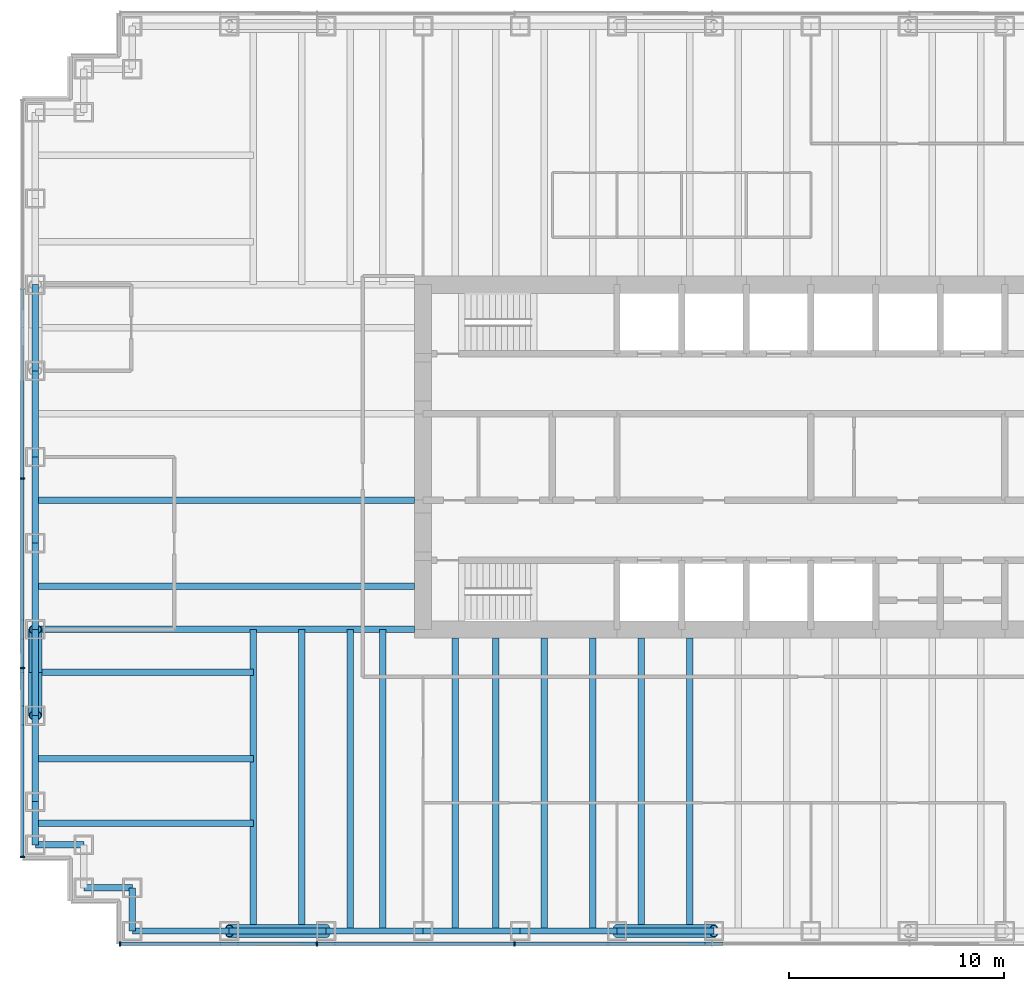
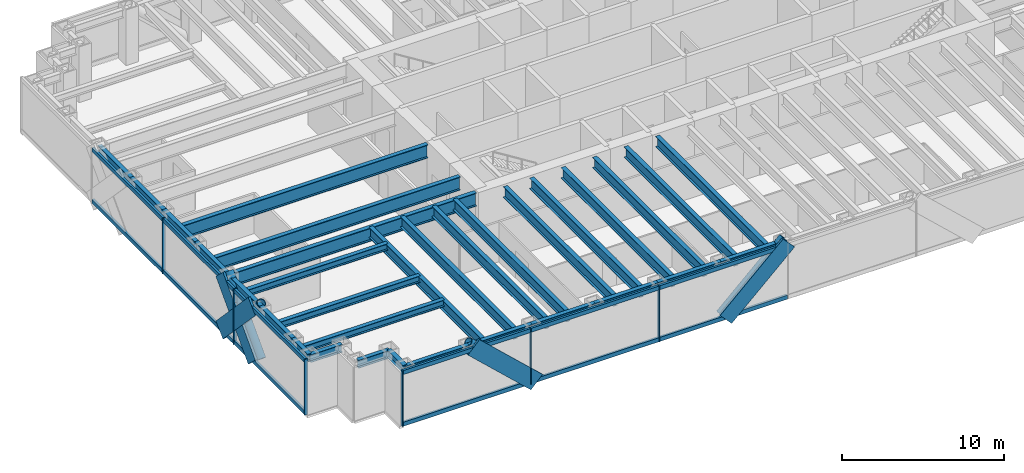
# One storey, part 2 of 19: 32 beams, 26 members, 2 elements without a shape of their own.
"""IFC4 building model written with IfcOpenShell, lengths in metres."""

from ifc_helpers import new_model, si_unit, direction, frame, origin, origin_2d, place, context, subcontext, project, spatial, rectangle, hollow_circle, i_section, extrude, material, material_profile, profile_set, type_object, element, aggregate, save


model = new_model("IFC4")

# Units and contexts
model_context = context("Model", 3, precision=1e-05, world=origin(), true_north=direction((0.0, 1.0)))
body_context = subcontext(model_context, "Body", "Model", "MODEL_VIEW")
ifc_project = project(units=[si_unit("LENGTHUNIT", "METRE"), si_unit("AREAUNIT", "SQUARE_METRE"), si_unit("VOLUMEUNIT", "CUBIC_METRE"), si_unit("PLANEANGLEUNIT", "RADIAN"), si_unit("MASSUNIT", "GRAM", prefix="KILO")], contexts=[model_context])

# Site, building, storey
site_placement = place(None, origin())
site = spatial("IfcSite", under=ifc_project, at=site_placement, CompositionType="ELEMENT")
building_placement = place(site_placement, origin())
building = spatial("IfcBuilding", under=site, at=building_placement, Name="Rheinbord Bourse Tower", CompositionType="ELEMENT")
storey_placement = place(building_placement, frame((0.0, 0.0, 206.800048828125)))
storey = spatial("IfcBuildingStorey", under=building, at=storey_placement, Name="L46", CompositionType="ELEMENT", Elevation=206.800048828125)

# Curtain wall, members
ifc_material_1 = material(Name="Dark glass and black aluminium", Category="aluminium")
curtain_wall_type = type_object("IfcCurtainWallType", Name="CW2 DARK GLASS CURTAIN WALL", PredefinedType="USERDEFINED", material=ifc_material_1)
curtain_wall_1_placement = place(storey_placement, origin())
curtain_wall_1 = element("IfcCurtainWall", 1, at=curtain_wall_1_placement, inside=storey, type_object=curtain_wall_type, Name="Curtain wall CW2 S L46", ObjectType="UNITISED CURTAIN WALL", PredefinedType="USERDEFINED")
ifc_material_2 = material(Name="Black anodised aluminium", Category="aluminium")
ifc_material_profile_1 = material_profile(ifc_material_2, rectangle(XDim=0.159912109375, YDim=1.2099609375, at=origin_2d()), Name="CW2 DIAGONAL MULLION 1210x160")
ifc_profile_set_1 = profile_set([ifc_material_profile_1], Name="Black anodised aluminium")
member_type_1 = type_object("IfcMemberType", Name="CW2 BLACK DIAGONAL MULLION", PredefinedType="USERDEFINED", material=ifc_profile_set_1)
member_1_placement = place(storey_placement, frame((27.0, 1.39990234375, 0.0), z_axis=(0.73105922506, 0.0, 0.682314010889), x_axis=(0.0, 1.0, 0.0)))
member_1 = element("IfcMember", 2, at=member_1_placement, type_object=member_type_1, Name="CW2 diagonal mullion b", ObjectType="DIAGONAL MULLION", PredefinedType="USERDEFINED", context=body_context, shape_type="SweptSolid", body=[
    extrude(rectangle(XDim=0.159912109375, YDim=1.2099609375, at=origin_2d()), origin(), (0.0, 0.0, 1.0), 6.155517578125),
])
member_2_placement = place(storey_placement, frame((13.5, 1.39990234375, 0.0), z_axis=(-0.73105922506, 0.0, 0.682314010889), x_axis=(0.0, -1.0, 0.0)))
member_2 = element("IfcMember", 3, at=member_2_placement, type_object=member_type_1, Name="CW2 diagonal mullion c", ObjectType="DIAGONAL MULLION", PredefinedType="USERDEFINED", context=body_context, shape_type="SweptSolid", body=[
    extrude(rectangle(XDim=0.159912109375, YDim=1.2099609375, at=origin_2d()), origin(), (0.0, 0.0, 1.0), 6.155517578125),
])

curtain_wall_2_placement = place(storey_placement, origin())
curtain_wall_2 = element("IfcCurtainWall", 4, at=curtain_wall_2_placement, inside=storey, type_object=curtain_wall_type, Name="Curtain wall CW2 W L46", ObjectType="UNITISED CURTAIN WALL", PredefinedType="USERDEFINED")
member_3_placement = place(storey_placement, frame((-0.60009765625, 12.0, 0.0), z_axis=(0.0, 0.689659376744, 0.724133926887), x_axis=(-1.0, 0.0, 0.0)))
member_3 = element("IfcMember", 5, at=member_3_placement, type_object=member_type_1, Name="CW2 diagonal mullion b", ObjectType="DIAGONAL MULLION", PredefinedType="USERDEFINED", context=body_context, shape_type="SweptSolid", body=[
    extrude(rectangle(XDim=0.159912109375, YDim=1.2099609375, at=origin_2d()), origin(), (0.0, 0.0, 1.0), 5.800048828125),
])
member_4_placement = place(storey_placement, frame((-0.60009765625, 16.0, 0.0), z_axis=(0.0, -0.689659376744, 0.724133926887), x_axis=(1.0, 0.0, 0.0)))
member_4 = element("IfcMember", 6, at=member_4_placement, type_object=member_type_1, Name="CW2 diagonal mullion c", ObjectType="DIAGONAL MULLION", PredefinedType="USERDEFINED", context=body_context, shape_type="SweptSolid", body=[
    extrude(rectangle(XDim=0.159912109375, YDim=1.2099609375, at=origin_2d()), origin(), (0.0, 0.0, 1.0), 5.800048828125),
])

# Member
ifc_material_3 = material(Name="Black anodised aluminium", Category="aluminium")
ifc_material_profile_2 = material_profile(ifc_material_3, rectangle(XDim=0.219970703125, YDim=0.070068359375, at=origin_2d()), Name="CW2 MULLION 70x220")
ifc_profile_set_2 = profile_set([ifc_material_profile_2], Name="Black anodised aluminium")
member_type_2 = type_object("IfcMemberType", Name="CW2 BLACK MULLION", PredefinedType="MULLION", material=ifc_profile_set_2)
member_5_placement = place(storey_placement, frame((3.93505859375, 1.39990234375, 0.0), z_axis=(0.0, 0.0, 1.0), x_axis=(0.0, 1.0, 0.0)))
member_5 = element("IfcMember", 7, at=member_5_placement, type_object=member_type_2, Name="CW2 mullion 1", PredefinedType="MULLION", context=body_context, shape_type="SweptSolid", body=[
    extrude(rectangle(XDim=0.219970703125, YDim=0.070068359375, at=origin_2d()), origin(), (0.0, 0.0, 1.0), 4.199951171875),
])

member_6_placement = place(storey_placement, frame((13.071533203125, 1.39990234375, 0.0), z_axis=(0.0, 0.0, 1.0), x_axis=(0.0, 1.0, 0.0)))
member_6 = element("IfcMember", 8, at=member_6_placement, type_object=member_type_2, Name="CW2 mullion 2", PredefinedType="MULLION", context=body_context, shape_type="SweptSolid", body=[
    extrude(rectangle(XDim=0.219970703125, YDim=0.070068359375, at=origin_2d()), origin(), (0.0, 0.0, 1.0), 4.199951171875),
])

member_7_placement = place(storey_placement, frame((22.242919921875, 1.39990234375, 0.0), z_axis=(0.0, 0.0, 1.0), x_axis=(0.0, 1.0, 0.0)))
member_7 = element("IfcMember", 9, at=member_7_placement, type_object=member_type_2, Name="CW2 mullion 3", PredefinedType="MULLION", context=body_context, shape_type="SweptSolid", body=[
    extrude(rectangle(XDim=0.219970703125, YDim=0.070068359375, at=origin_2d()), origin(), (0.0, 0.0, 1.0), 4.199951171875),
])

member_8_placement = place(storey_placement, frame((-0.60009765625, 23.0, 0.0), z_axis=(0.0, 0.0, 1.0), x_axis=(1.0, 0.0, 0.0)))
member_8 = element("IfcMember", 10, at=member_8_placement, type_object=member_type_2, Name="CW2 mullion 3", PredefinedType="MULLION", context=body_context, shape_type="SweptSolid", body=[
    extrude(rectangle(XDim=0.219970703125, YDim=0.070068359375, at=origin_2d()), origin(), (0.0, 0.0, 1.0), 4.199951171875),
])

member_9_placement = place(storey_placement, frame((-0.60009765625, 14.199951171875, 0.0), z_axis=(0.0, 0.0, 1.0), x_axis=(1.0, 0.0, 0.0)))
member_9 = element("IfcMember", 11, at=member_9_placement, type_object=member_type_2, Name="CW2 mullion 4", PredefinedType="MULLION", context=body_context, shape_type="SweptSolid", body=[
    extrude(rectangle(XDim=0.219970703125, YDim=0.070068359375, at=origin_2d()), origin(), (0.0, 0.0, 1.0), 4.199951171875),
])

member_10_placement = place(storey_placement, frame((-0.60009765625, 5.43505859375, 0.0), z_axis=(0.0, 0.0, 1.0), x_axis=(1.0, 0.0, 0.0)))
member_10 = element("IfcMember", 12, at=member_10_placement, type_object=member_type_2, Name="CW2 mullion 5", PredefinedType="MULLION", context=body_context, shape_type="SweptSolid", body=[
    extrude(rectangle(XDim=0.219970703125, YDim=0.070068359375, at=origin_2d()), origin(), (0.0, 0.0, 1.0), 4.199951171875),
])

ifc_material_4 = material(Name="Black anodised aluminium", Category="aluminium")
ifc_material_profile_3 = material_profile(ifc_material_4, rectangle(XDim=0.159912109375, YDim=0.300048828125, at=origin_2d()), Name="CW2 TRANSOM 300x160")
ifc_profile_set_3 = profile_set([ifc_material_profile_3], Name="Black anodised aluminium")
member_type_3 = type_object("IfcMemberType", Name="CW2 BLACK TRANSOM", PredefinedType="USERDEFINED", material=ifc_profile_set_3)
member_11_placement = place(storey_placement, frame((3.969970703125, 1.39990234375, 0.14990234375), z_axis=(1.0, 0.0, 0.0), x_axis=(0.0, 1.0, 0.0)))
member_11 = element("IfcMember", 13, at=member_11_placement, type_object=member_type_3, Name="CW2 transom 1.1", ObjectType="TRANSOM", PredefinedType="USERDEFINED", context=body_context, shape_type="SweptSolid", body=[
    extrude(rectangle(XDim=0.159912109375, YDim=0.300048828125, at=origin_2d()), origin(), (0.0, 0.0, 1.0), 9.06640625),
])

member_12_placement = place(storey_placement, frame((3.969970703125, 1.39990234375, 4.050048828125), z_axis=(1.0, 0.0, 0.0), x_axis=(0.0, 1.0, 0.0)))
member_12 = element("IfcMember", 14, at=member_12_placement, type_object=member_type_3, Name="CW2 transom 1.2", ObjectType="TRANSOM", PredefinedType="USERDEFINED", context=body_context, shape_type="SweptSolid", body=[
    extrude(rectangle(XDim=0.159912109375, YDim=0.300048828125, at=origin_2d()), origin(), (0.0, 0.0, 1.0), 9.06640625),
])

member_13_placement = place(storey_placement, frame((13.1064453125, 1.39990234375, 0.14990234375), z_axis=(1.0, 0.0, 0.0), x_axis=(0.0, 1.0, 0.0)))
member_13 = element("IfcMember", 15, at=member_13_placement, type_object=member_type_3, Name="CW2 transom 2.1", ObjectType="TRANSOM", PredefinedType="USERDEFINED", context=body_context, shape_type="SweptSolid", body=[
    extrude(rectangle(XDim=0.159912109375, YDim=0.300048828125, at=origin_2d()), origin(), (0.0, 0.0, 1.0), 9.101318359375),
])

member_14_placement = place(storey_placement, frame((13.1064453125, 1.39990234375, 4.050048828125), z_axis=(1.0, 0.0, 0.0), x_axis=(0.0, 1.0, 0.0)))
member_14 = element("IfcMember", 16, at=member_14_placement, type_object=member_type_3, Name="CW2 transom 2.2", ObjectType="TRANSOM", PredefinedType="USERDEFINED", context=body_context, shape_type="SweptSolid", body=[
    extrude(rectangle(XDim=0.159912109375, YDim=0.300048828125, at=origin_2d()), origin(), (0.0, 0.0, 1.0), 9.101318359375),
])

member_15_placement = place(storey_placement, frame((22.27783203125, 1.39990234375, 0.14990234375), z_axis=(1.0, 0.0, 0.0), x_axis=(0.0, 1.0, 0.0)))
member_15 = element("IfcMember", 17, at=member_15_placement, type_object=member_type_3, Name="CW2 transom 3.1", ObjectType="TRANSOM", PredefinedType="USERDEFINED", context=body_context, shape_type="SweptSolid", body=[
    extrude(rectangle(XDim=0.159912109375, YDim=0.300048828125, at=origin_2d()), origin(), (0.0, 0.0, 1.0), 9.1015625),
])

member_16_placement = place(storey_placement, frame((22.27783203125, 1.39990234375, 4.050048828125), z_axis=(1.0, 0.0, 0.0), x_axis=(0.0, 1.0, 0.0)))
member_16 = element("IfcMember", 18, at=member_16_placement, type_object=member_type_3, Name="CW2 transom 3.2", ObjectType="TRANSOM", PredefinedType="USERDEFINED", context=body_context, shape_type="SweptSolid", body=[
    extrude(rectangle(XDim=0.159912109375, YDim=0.300048828125, at=origin_2d()), origin(), (0.0, 0.0, 1.0), 9.1015625),
])

aggregate(curtain_wall_1, [member_5, member_6, member_7, member_11, member_12, member_13, member_14, member_15, member_16, member_1, member_2])

member_17_placement = place(storey_placement, frame((-0.60009765625, 31.764892578125, 0.14990234375), z_axis=(0.0, -1.0, 0.0), x_axis=(1.0, 0.0, 0.0)))
member_17 = element("IfcMember", 19, at=member_17_placement, type_object=member_type_3, Name="CW2 transom 2.1", ObjectType="TRANSOM", PredefinedType="USERDEFINED", context=body_context, shape_type="SweptSolid", body=[
    extrude(rectangle(XDim=0.159912109375, YDim=0.300048828125, at=origin_2d()), origin(), (0.0, 0.0, 1.0), 8.72998046875),
])

member_18_placement = place(storey_placement, frame((-0.60009765625, 31.764892578125, 4.050048828125), z_axis=(0.0, -1.0, 0.0), x_axis=(1.0, 0.0, 0.0)))
member_18 = element("IfcMember", 20, at=member_18_placement, type_object=member_type_3, Name="CW2 transom 2.2", ObjectType="TRANSOM", PredefinedType="USERDEFINED", context=body_context, shape_type="SweptSolid", body=[
    extrude(rectangle(XDim=0.159912109375, YDim=0.300048828125, at=origin_2d()), origin(), (0.0, 0.0, 1.0), 8.72998046875),
])

member_19_placement = place(storey_placement, frame((-0.60009765625, 22.965087890625, 0.14990234375), z_axis=(0.0, -1.0, 0.0), x_axis=(1.0, 0.0, 0.0)))
member_19 = element("IfcMember", 21, at=member_19_placement, type_object=member_type_3, Name="CW2 transom 3.1", ObjectType="TRANSOM", PredefinedType="USERDEFINED", context=body_context, shape_type="SweptSolid", body=[
    extrude(rectangle(XDim=0.159912109375, YDim=0.300048828125, at=origin_2d()), origin(), (0.0, 0.0, 1.0), 8.72998046875),
])

member_20_placement = place(storey_placement, frame((-0.60009765625, 22.965087890625, 4.050048828125), z_axis=(0.0, -1.0, 0.0), x_axis=(1.0, 0.0, 0.0)))
member_20 = element("IfcMember", 22, at=member_20_placement, type_object=member_type_3, Name="CW2 transom 3.2", ObjectType="TRANSOM", PredefinedType="USERDEFINED", context=body_context, shape_type="SweptSolid", body=[
    extrude(rectangle(XDim=0.159912109375, YDim=0.300048828125, at=origin_2d()), origin(), (0.0, 0.0, 1.0), 8.72998046875),
])

member_21_placement = place(storey_placement, frame((-0.60009765625, 14.1650390625, 0.14990234375), z_axis=(0.0, -1.0, 0.0), x_axis=(1.0, 0.0, 0.0)))
member_21 = element("IfcMember", 23, at=member_21_placement, type_object=member_type_3, Name="CW2 transom 4.1", ObjectType="TRANSOM", PredefinedType="USERDEFINED", context=body_context, shape_type="SweptSolid", body=[
    extrude(rectangle(XDim=0.159912109375, YDim=0.300048828125, at=origin_2d()), origin(), (0.0, 0.0, 1.0), 8.695068359375),
])

member_22_placement = place(storey_placement, frame((-0.60009765625, 14.1650390625, 4.050048828125), z_axis=(0.0, -1.0, 0.0), x_axis=(1.0, 0.0, 0.0)))
member_22 = element("IfcMember", 24, at=member_22_placement, type_object=member_type_3, Name="CW2 transom 4.2", ObjectType="TRANSOM", PredefinedType="USERDEFINED", context=body_context, shape_type="SweptSolid", body=[
    extrude(rectangle(XDim=0.159912109375, YDim=0.300048828125, at=origin_2d()), origin(), (0.0, 0.0, 1.0), 8.695068359375),
])

aggregate(curtain_wall_2, [member_8, member_9, member_10, member_17, member_18, member_19, member_20, member_21, member_22, member_3, member_4])

# Beams
ifc_material_5 = material(Name="Steel S460", Category="steel")
ifc_material_profile_4 = material_profile(ifc_material_5, i_section(OverallWidth=0.302001953125, OverallDepth=1.008056640625, WebThickness=0.02099609375, FlangeThickness=0.0400390625, at=origin_2d()), Name="HEM 1000")
ifc_profile_set_4 = profile_set([ifc_material_profile_4], Name="Steel S460")
beam_type_1 = type_object("IfcBeamType", Name="END BEAM HEM 1000", PredefinedType="BEAM", material=ifc_profile_set_4)
for number, where, z_axis, x_axis, name in (
    (25, (0.0, 18.0, 3.535888671875), (1.0, 0.0, 0.0), (0.0, 1.0, 0.0), "End beam west 18 L47"),
    (26, (0.0, 22.0, 3.535888671875), (1.0, 0.0, 0.0), (0.0, 1.0, 0.0), "End beam west 22 L47"),
):
    element("IfcBeam", number, at=place(storey_placement, frame(where, z_axis=z_axis, x_axis=x_axis)), inside=storey, type_object=beam_type_1, Name=name, PredefinedType="BEAM", context=body_context, shape_type="SweptSolid", body=[
        extrude(i_section(OverallWidth=0.302001953125, OverallDepth=1.008056640625, WebThickness=0.02099609375, FlangeThickness=0.0400390625, at=origin_2d()), origin(), (0.0, 0.0, 1.0), 17.60009765625),
    ])
ifc_material_6 = material(Name="Steel S460", Category="steel")
ifc_material_profile_5 = material_profile(ifc_material_6, i_section(OverallWidth=0.300048828125, OverallDepth=0.800048828125, WebThickness=0.017578125, FlangeThickness=0.032958984375, at=origin_2d()), Name="HEB 800")
ifc_profile_set_5 = profile_set([ifc_material_profile_5], Name="Steel S460")
beam_type_2 = type_object("IfcBeamType", Name="FLOOR BEAM HEB 800", PredefinedType="BEAM", material=ifc_profile_set_5)
for number, where, z_axis, x_axis, name in (
    (27, (10.125, 2.0, 3.639892578125), (0.0, 1.0, 0.0), (-1.0, 0.0, 0.0), "Floor beam S-9a L47"),
    (28, (12.375, 2.0, 3.639892578125), (0.0, 1.0, 0.0), (-1.0, 0.0, 0.0), "Floor beam S-9b L47"),
    (29, (14.625, 2.0, 3.639892578125), (0.0, 1.0, 0.0), (-1.0, 0.0, 0.0), "Floor beam S-13.5a L47"),
    (30, (16.125, 2.0, 3.639892578125), (0.0, 1.0, 0.0), (-1.0, 0.0, 0.0), "Floor beam S-13.5b L47"),
):
    element("IfcBeam", number, at=place(storey_placement, frame(where, z_axis=z_axis, x_axis=x_axis)), inside=storey, type_object=beam_type_2, Name=name, PredefinedType="BEAM", context=body_context, shape_type="SweptSolid", body=[
        extrude(i_section(OverallWidth=0.300048828125, OverallDepth=0.800048828125, WebThickness=0.017578125, FlangeThickness=0.032958984375, at=origin_2d()), origin(), (0.0, 0.0, 1.0), 14.0),
    ])
for number, where, z_axis, x_axis, name in (
    (31, (19.5, 2.0, 3.639892578125), (0.0, 1.0, 0.0), (-1.0, 0.0, 0.0), "Floor beam S-18a L47"),
    (32, (21.375, 2.0, 3.639892578125), (0.0, 1.0, 0.0), (-1.0, 0.0, 0.0), "Floor beam S-18b L47"),
    (33, (23.625, 2.0, 3.639892578125), (0.0, 1.0, 0.0), (-1.0, 0.0, 0.0), "Floor beam S-22.5a L47"),
    (34, (25.875, 2.0, 3.639892578125), (0.0, 1.0, 0.0), (-1.0, 0.0, 0.0), "Floor beam S-22.5b L47"),
    (35, (28.125, 2.0, 3.639892578125), (0.0, 1.0, 0.0), (-1.0, 0.0, 0.0), "Floor beam S-27a L47"),
    (36, (30.375, 2.0, 3.639892578125), (0.0, 1.0, 0.0), (-1.0, 0.0, 0.0), "Floor beam S-27b L47"),
):
    element("IfcBeam", number, at=place(storey_placement, frame(where, z_axis=z_axis, x_axis=x_axis)), inside=storey, type_object=beam_type_2, Name=name, PredefinedType="BEAM", context=body_context, shape_type="SweptSolid", body=[
        extrude(i_section(OverallWidth=0.300048828125, OverallDepth=0.800048828125, WebThickness=0.017578125, FlangeThickness=0.032958984375, at=origin_2d()), origin(), (0.0, 0.0, 1.0), 13.60009765625),
    ])
ifc_material_7 = material(Name="Steel S460", Category="steel")
ifc_material_profile_6 = material_profile(ifc_material_7, i_section(OverallWidth=0.302001953125, OverallDepth=1.008056640625, WebThickness=0.02099609375, FlangeThickness=0.0400390625, at=origin_2d()), Name="HEM 1000")
ifc_profile_set_6 = profile_set([ifc_material_profile_6], Name="Steel S460")
beam_type_3 = type_object("IfcBeamType", Name="GIRDER HEM 1000", PredefinedType="BEAM", material=ifc_profile_set_6)
beam_1_placement = place(storey_placement, frame((0.0, 16.0, 3.535888671875), z_axis=(1.0, 0.0, 0.0), x_axis=(0.0, 1.0, 0.0)))
element("IfcBeam", 37, at=beam_1_placement, inside=storey, type_object=beam_type_3, Name="Girder west 16 L47", PredefinedType="BEAM", context=body_context, shape_type="SweptSolid", body=[
    extrude(i_section(OverallWidth=0.302001953125, OverallDepth=1.008056640625, WebThickness=0.02099609375, FlangeThickness=0.0400390625, at=origin_2d()), origin(), (0.0, 0.0, 1.0), 17.60009765625),
])

# Members
ifc_material_8 = material(Name="Steel S460", Category="steel")
ifc_material_profile_7 = material_profile(ifc_material_8, hollow_circle(Radius=0.304931640625, WallThickness=0.0400390625, at=origin_2d()), Name="CHS 610x40")
ifc_profile_set_7 = profile_set([ifc_material_profile_7], Name="Steel S460")
member_type_4 = type_object("IfcMemberType", Name="MEGABRACE CHS 610x40", PredefinedType="BRACE", material=ifc_profile_set_7)
for number, where, z_axis, x_axis, name in (
    (38, (27.0, 2.0, 0.0), (0.73105922506, 0.0, 0.682314010889), (0.0, 1.0, 0.0), "Megabrace S face line b L46"),
    (39, (13.5, 2.0, 0.0), (-0.73105922506, 0.0, 0.682314010889), (0.0, -1.0, 0.0), "Megabrace S face line c L46"),
):
    element("IfcMember", number, at=place(storey_placement, frame(where, z_axis=z_axis, x_axis=x_axis)), inside=storey, type_object=member_type_4, Name=name, PredefinedType="BRACE", context=body_context, shape_type="SweptSolid", body=[
        extrude(hollow_circle(Radius=0.304931640625, WallThickness=0.0400390625, at=origin_2d()), origin(), (0.0, 0.0, 1.0), 6.155517578125),
    ])
for number, where, z_axis, x_axis, name in (
    (40, (0.0, 12.0, 0.0), (0.0, 0.689659376744, 0.724133926887), (-1.0, 0.0, 0.0), "Megabrace W face line b L46"),
    (41, (0.0, 16.0, 0.0), (0.0, -0.689659376744, 0.724133926887), (1.0, 0.0, 0.0), "Megabrace W face line c L46"),
):
    element("IfcMember", number, at=place(storey_placement, frame(where, z_axis=z_axis, x_axis=x_axis)), inside=storey, type_object=member_type_4, Name=name, PredefinedType="BRACE", context=body_context, shape_type="SweptSolid", body=[
        extrude(hollow_circle(Radius=0.304931640625, WallThickness=0.0400390625, at=origin_2d()), origin(), (0.0, 0.0, 1.0), 5.800048828125),
    ])

# Beams
ifc_material_9 = material(Name="Steel S460", Category="steel")
ifc_material_profile_8 = material_profile(ifc_material_9, i_section(OverallWidth=0.300048828125, OverallDepth=0.60009765625, WebThickness=0.015380859375, FlangeThickness=0.030029296875, at=origin_2d()), Name="HEB 600")
ifc_profile_set_8 = profile_set([ifc_material_profile_8], Name="Steel S460")
beam_type_4 = type_object("IfcBeamType", Name="SPANDREL HEB 600", PredefinedType="SPANDREL", material=ifc_profile_set_8)
for number, where, z_axis, x_axis, name in (
    (42, (4.5, 2.0, 3.739990234375), (1.0, 0.0, 0.0), (0.0, 1.0, 0.0), "Spandrel SW-E-S-9 under L47"),
    (43, (9.0, 2.0, 3.739990234375), (1.0, 0.0, 0.0), (0.0, 1.0, 0.0), "Spandrel S-9-S-13.5 under L47"),
    (44, (13.5, 2.0, 3.739990234375), (1.0, 0.0, 0.0), (0.0, 1.0, 0.0), "Spandrel S-13.5-S-18 under L47"),
    (45, (18.0, 2.0, 3.739990234375), (1.0, 0.0, 0.0), (0.0, 1.0, 0.0), "Spandrel S-18-S-22.5 under L47"),
    (46, (22.5, 2.0, 3.739990234375), (1.0, 0.0, 0.0), (0.0, 1.0, 0.0), "Spandrel S-22.5-S-27 under L47"),
    (47, (27.0, 2.0, 3.739990234375), (1.0, 0.0, 0.0), (0.0, 1.0, 0.0), "Spandrel S-27-S-31.5 under L47"),
):
    element("IfcBeam", number, at=place(storey_placement, frame(where, z_axis=z_axis, x_axis=x_axis)), inside=storey, type_object=beam_type_4, Name=name, PredefinedType="SPANDREL", context=body_context, shape_type="SweptSolid", body=[
        extrude(i_section(OverallWidth=0.300048828125, OverallDepth=0.60009765625, WebThickness=0.015380859375, FlangeThickness=0.030029296875, at=origin_2d()), origin(), (0.0, 0.0, 1.0), 4.5),
    ])
for number, where, z_axis, x_axis, name in (
    (48, (0.0, 32.0, 3.739990234375), (0.0, -1.0, 0.0), (1.0, 0.0, 0.0), "Spandrel W-32-W-28 under L47"),
    (49, (0.0, 28.0, 3.739990234375), (0.0, -1.0, 0.0), (1.0, 0.0, 0.0), "Spandrel W-28-W-24 under L47"),
    (50, (0.0, 24.0, 3.739990234375), (0.0, -1.0, 0.0), (1.0, 0.0, 0.0), "Spandrel W-24-W-20 under L47"),
    (51, (0.0, 20.0, 3.739990234375), (0.0, -1.0, 0.0), (1.0, 0.0, 0.0), "Spandrel W-20-W-16 under L47"),
    (52, (0.0, 16.0, 3.739990234375), (0.0, -1.0, 0.0), (1.0, 0.0, 0.0), "Spandrel W-16-W-12 under L47"),
    (53, (0.0, 12.0, 3.739990234375), (0.0, -1.0, 0.0), (1.0, 0.0, 0.0), "Spandrel W-12-W-8 under L47"),
):
    element("IfcBeam", number, at=place(storey_placement, frame(where, z_axis=z_axis, x_axis=x_axis)), inside=storey, type_object=beam_type_4, Name=name, PredefinedType="SPANDREL", context=body_context, shape_type="SweptSolid", body=[
        extrude(i_section(OverallWidth=0.300048828125, OverallDepth=0.60009765625, WebThickness=0.015380859375, FlangeThickness=0.030029296875, at=origin_2d()), origin(), (0.0, 0.0, 1.0), 4.0),
    ])
beam_2_placement = place(storey_placement, frame((0.0, 8.0, 3.739990234375), z_axis=(0.0, -1.0, 0.0), x_axis=(1.0, 0.0, 0.0)))
element("IfcBeam", 54, at=beam_2_placement, inside=storey, type_object=beam_type_4, Name="Spandrel W-8-SW-A under L47", PredefinedType="SPANDREL", context=body_context, shape_type="SweptSolid", body=[
    extrude(i_section(OverallWidth=0.300048828125, OverallDepth=0.60009765625, WebThickness=0.015380859375, FlangeThickness=0.030029296875, at=origin_2d()), origin(), (0.0, 0.0, 1.0), 2.0),
])
for number, where, z_axis, x_axis, name in (
    (55, (0.0, 6.0, 3.739990234375), (1.0, 0.0, 0.0), (0.0, 1.0, 0.0), "Spandrel SW-A-SW-B under L47"),
    (56, (2.25, 4.0, 3.739990234375), (1.0, 0.0, 0.0), (0.0, 1.0, 0.0), "Spandrel SW-C-SW-D under L47"),
):
    element("IfcBeam", number, at=place(storey_placement, frame(where, z_axis=z_axis, x_axis=x_axis)), inside=storey, type_object=beam_type_4, Name=name, PredefinedType="SPANDREL", context=body_context, shape_type="SweptSolid", body=[
        extrude(i_section(OverallWidth=0.300048828125, OverallDepth=0.60009765625, WebThickness=0.015380859375, FlangeThickness=0.030029296875, at=origin_2d()), origin(), (0.0, 0.0, 1.0), 2.25),
    ])
beam_3_placement = place(storey_placement, frame((4.5, 4.0, 3.739990234375), z_axis=(0.0, -1.0, 0.0), x_axis=(1.0, 0.0, 0.0)))
element("IfcBeam", 57, at=beam_3_placement, inside=storey, type_object=beam_type_4, Name="Spandrel SW-D-SW-E under L47", PredefinedType="SPANDREL", context=body_context, shape_type="SweptSolid", body=[
    extrude(i_section(OverallWidth=0.300048828125, OverallDepth=0.60009765625, WebThickness=0.015380859375, FlangeThickness=0.030029296875, at=origin_2d()), origin(), (0.0, 0.0, 1.0), 2.0),
])
ifc_material_10 = material(Name="Steel S460", Category="steel")
ifc_material_profile_9 = material_profile(ifc_material_10, i_section(OverallWidth=0.300048828125, OverallDepth=0.5, WebThickness=0.014404296875, FlangeThickness=0.028076171875, at=origin_2d()), Name="HEB 500")
ifc_profile_set_9 = profile_set([ifc_material_profile_9], Name="Steel S460")
beam_type_5 = type_object("IfcBeamType", Name="TIE BEAM HEB 500", PredefinedType="JOIST", material=ifc_profile_set_9)
for number, where, z_axis, x_axis, name in (
    (58, (0.0, 7.0, 3.7900390625), (1.0, 0.0, 0.0), (0.0, 1.0, 0.0), "Tie west 7 L47"),
    (59, (0.0, 10.0, 3.7900390625), (1.0, 0.0, 0.0), (0.0, 1.0, 0.0), "Tie west 10 L47"),
    (60, (0.0, 14.0, 3.7900390625), (1.0, 0.0, 0.0), (0.0, 1.0, 0.0), "Tie west 14 L47"),
):
    element("IfcBeam", number, at=place(storey_placement, frame(where, z_axis=z_axis, x_axis=x_axis)), inside=storey, type_object=beam_type_5, Name=name, PredefinedType="JOIST", context=body_context, shape_type="SweptSolid", body=[
        extrude(i_section(OverallWidth=0.300048828125, OverallDepth=0.5, WebThickness=0.014404296875, FlangeThickness=0.028076171875, at=origin_2d()), origin(), (0.0, 0.0, 1.0), 10.125),
    ])

save(model, "model.ifc")
